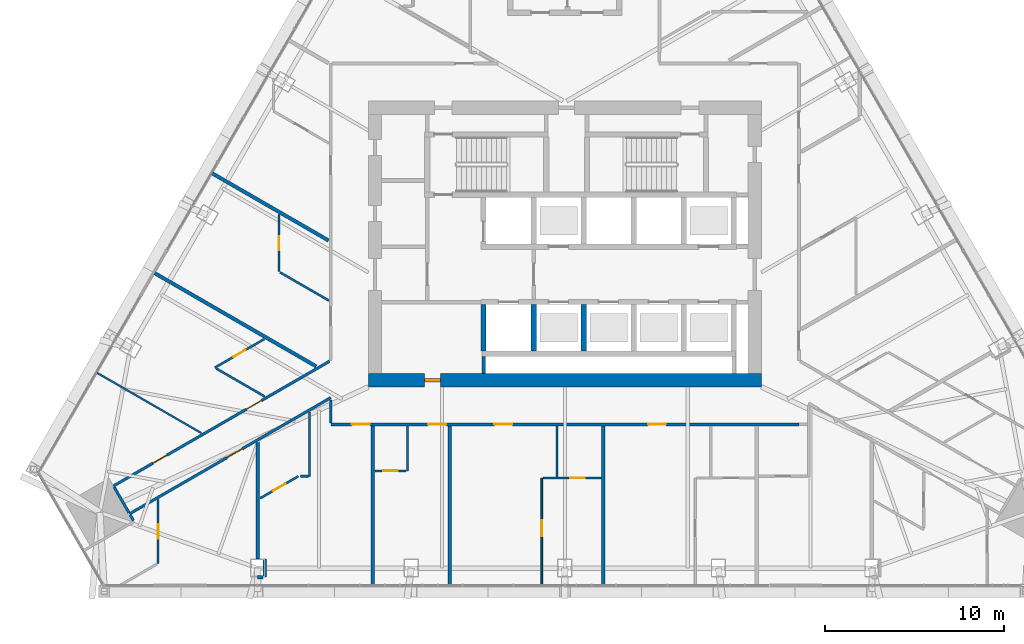
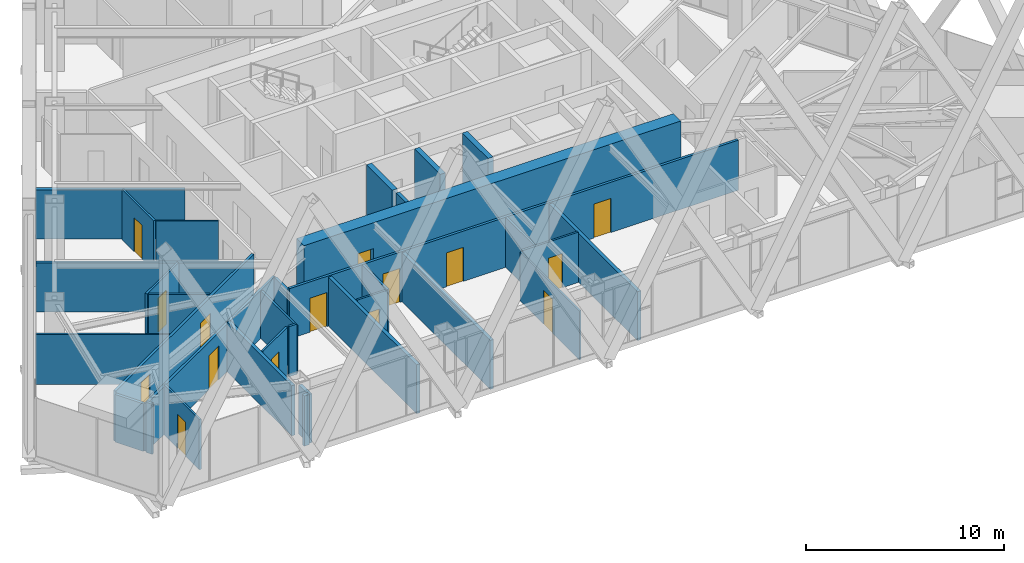
# One storey, part 17 of 23: 33 walls, 15 doors, 15 openings.
"""IFC4 building model written with IfcOpenShell, lengths in metres."""

from ifc_helpers import new_model, si_unit, direction, frame, frame_2d, origin, place, context, subcontext, project, spatial, rectangle, extrude, material, layer, layer_set, type_object, element, fill, save


model = new_model("IFC4")

# Units and contexts
model_context = context("Model", 3, precision=1e-05, world=origin(), true_north=direction((0.0, 1.0)))
body_context = subcontext(model_context, "Body", "Model", "MODEL_VIEW")
ifc_project = project(units=[si_unit("LENGTHUNIT", "METRE"), si_unit("AREAUNIT", "SQUARE_METRE"), si_unit("VOLUMEUNIT", "CUBIC_METRE"), si_unit("PLANEANGLEUNIT", "RADIAN"), si_unit("MASSUNIT", "GRAM", prefix="KILO")], contexts=[model_context])

# Site, building, storey
site_placement = place(None, origin())
site = spatial("IfcSite", under=ifc_project, at=site_placement, CompositionType="ELEMENT")
building_placement = place(site_placement, origin())
building = spatial("IfcBuilding", under=site, at=building_placement, Name="Firuza Gate Tower and Library", CompositionType="ELEMENT")
storey_placement = place(building_placement, frame((0.0, 0.0, 202.60009765625)))
storey = spatial("IfcBuildingStorey", under=building, at=storey_placement, Name="L47", CompositionType="ELEMENT", Elevation=202.60009765625)

# Walls
ifc_material_1 = material(Name="Plasterboard on steel studs", Category="steel")
ifc_layer_1 = layer(ifc_material_1, 0.199951171875)
ifc_layer_set_1 = layer_set([ifc_layer_1], Name="Core partition 200 EI 120")
wall_type_1 = type_object("IfcWallType", Name="Core partition 200 EI 120", PredefinedType="PARTITIONING", material=ifc_layer_set_1)
wall_1_placement = place(storey_placement, frame((70.449951171875, 67.75, 0.0), z_axis=(0.0, 0.0, 1.0), x_axis=(0.0, 1.0, 0.0)))
element("IfcWall", 1, at=wall_1_placement, inside=storey, type_object=wall_type_1, Name="Core partition L47 9", PredefinedType="PARTITIONING", context=body_context, shape_type="SweptSolid", body=[
    extrude(rectangle(XDim=0.949951171875, YDim=0.199951171875, at=frame_2d((0.47509765625, 0.0))), origin(), (0.0, 0.0, 1.0), 3.699951171875),
])
ifc_material_2 = material(Name="Concrete C80/95", Category="concrete")
ifc_layer_2 = layer(ifc_material_2, 0.300048828125)
ifc_layer_set_2 = layer_set([ifc_layer_2], Name="Core wall 300 C80/95")
wall_type_2 = type_object("IfcWallType", Name="Core wall 300 C80/95", PredefinedType="SHEAR", material=ifc_layer_set_2)
for number, where, z_axis, x_axis, name in (
    (2, (70.449951171875, 69.0, 0.0), (0.0, 0.0, 1.0), (0.0, 1.0, 0.0), "Core wall L47 8"),
    (3, (73.25, 69.0, 0.0), (0.0, 0.0, 1.0), (0.0, 1.0, 0.0), "Core wall L47 10"),
    (4, (76.050048828125, 69.0, 0.0), (0.0, 0.0, 1.0), (0.0, 1.0, 0.0), "Core wall L47 12"),
):
    element("IfcWall", number, at=place(storey_placement, frame(where, z_axis=z_axis, x_axis=x_axis)), inside=storey, type_object=wall_type_2, Name=name, PredefinedType="SHEAR", context=body_context, shape_type="SweptSolid", body=[
        extrude(rectangle(XDim=2.60009765625, YDim=0.300048828125, at=frame_2d((1.300048828125, 0.0))), origin(), (0.0, 0.0, 1.0), 3.699951171875),
    ])

# Wall, opening, door
ifc_material_3 = material(Name="Concrete C80/95", Category="concrete")
ifc_layer_3 = layer(ifc_material_3, 0.75)
ifc_layer_set_3 = layer_set([ifc_layer_3], Name="Core wall 750 C80/95")
wall_type_3 = type_object("IfcWallType", Name="Core wall 750 C80/95", PredefinedType="SHEAR", material=ifc_layer_set_3)
wall_2_placement = place(storey_placement, frame((64.0, 67.375, 0.0), z_axis=(0.0, 0.0, 1.0), x_axis=(1.0, 0.0, 0.0)))
wall_2 = element("IfcWall", 5, at=wall_2_placement, inside=storey, type_object=wall_type_3, Name="Core wall L47 1", PredefinedType="SHEAR", context=body_context, shape_type="SweptSolid", body=[
    extrude(rectangle(XDim=22.0, YDim=0.75, at=frame_2d((11.0, 0.0))), origin(), (0.0, 0.0, 1.0), 3.699951171875),
])
opening_1_placement = place(wall_2_placement, frame((3.14990234375, 0.0, 0.0)))
opening_1 = element("IfcOpeningElement", 6, at=opening_1_placement, cuts=wall_2, Name="Opening L47-K22", PredefinedType="OPENING", context=body_context, shape_type="SweptSolid", body=[
    extrude(rectangle(XDim=0.89990234375, YDim=2.10009765625, at=frame_2d((0.449951171875, 1.050048828125))), frame((0.0, 0.385009765625, 0.0), z_axis=(0.0, -1.0, 0.0), x_axis=(1.0, 0.0, 0.0)), (0.0, 0.0, 1.0), 0.77001953125),
])
ifc_material_4 = material(Name="Steel", Category="steel")
door_type_1 = type_object("IfcDoorType", Name="Fire door 900x2100 FD30S", OperationType="NOTDEFINED", PredefinedType="DOOR", material=ifc_material_4)
door_1_placement = place(opening_1_placement, origin())
door_1 = element("IfcDoor", 7, at=door_1_placement, inside=storey, type_object=door_type_1, Name="Door L47-K22", OperationType="SINGLE_SWING_LEFT", OverallHeight=2.10009765625, OverallWidth=0.89990234375, PredefinedType="DOOR", context=body_context, shape_type="SweptSolid", body=[
    extrude(rectangle(XDim=0.89990234375, YDim=2.10009765625, at=frame_2d((0.449951171875, 1.050048828125))), frame((0.0, 0.094970703125, 0.0), z_axis=(0.0, -1.0, 0.0), x_axis=(1.0, 0.0, 0.0)), (0.0, 0.0, 1.0), 0.18994140625),
])
fill(opening_1, door_1)

# Wall, openings, doors
ifc_material_5 = material(Name="Gypsum board partition")
ifc_layer_4 = layer(ifc_material_5, 0.14990234375)
ifc_layer_set_4 = layer_set([ifc_layer_4], Name="Corridor wall 150 double board on steel studs")
wall_type_4 = type_object("IfcWallType", Name="Corridor wall 150 double board on steel studs", PredefinedType="PARTITIONING", material=ifc_layer_set_4)
wall_3_placement = place(storey_placement, frame((88.099609375, 64.89990234375, 0.0), z_axis=(0.0, 0.0, 1.0), x_axis=(-1.0, 0.0, 0.0)))
wall_3 = element("IfcWall", 8, at=wall_3_placement, inside=storey, type_object=wall_type_4, Name="f:L47:w007", PredefinedType="PARTITIONING", context=body_context, shape_type="SweptSolid", body=[
    extrude(rectangle(XDim=26.19970703125, YDim=0.14990234375, at=frame_2d((13.099853515625, 0.0))), origin(), (0.0, 0.0, 1.0), 3.099853515625),
])
opening_2_placement = place(wall_3_placement, frame((7.443359375, 0.0, 0.0)))
opening_2 = element("IfcOpeningElement", 9, at=opening_2_placement, cuts=wall_3, Name="Opening L47-05", PredefinedType="OPENING", context=body_context, shape_type="SweptSolid", body=[
    extrude(rectangle(XDim=1.0, YDim=2.10009765625, at=frame_2d((0.5, 1.050048828125))), frame((0.0, 0.0849609375, 0.0), z_axis=(0.0, -1.0, 0.0), x_axis=(1.0, 0.0, 0.0)), (0.0, 0.0, 1.0), 0.169921875),
])
opening_3_placement = place(wall_3_placement, frame((16.037109375, 0.0, 0.0)))
opening_3 = element("IfcOpeningElement", 10, at=opening_3_placement, cuts=wall_3, Name="Opening L47-06", PredefinedType="OPENING", context=body_context, shape_type="SweptSolid", body=[
    extrude(rectangle(XDim=1.0, YDim=2.10009765625, at=frame_2d((0.5, 1.050048828125))), frame((0.0, 0.0849609375, 0.0), z_axis=(0.0, -1.0, 0.0), x_axis=(1.0, 0.0, 0.0)), (0.0, 0.0, 1.0), 0.169921875),
])
opening_4_placement = place(wall_3_placement, frame((19.747314453125, 0.0, 0.0)))
opening_4 = element("IfcOpeningElement", 11, at=opening_4_placement, cuts=wall_3, Name="Opening L47-07", PredefinedType="OPENING", context=body_context, shape_type="SweptSolid", body=[
    extrude(rectangle(XDim=1.0, YDim=2.10009765625, at=frame_2d((0.5, 1.050048828125))), frame((0.0, 0.0849609375, 0.0), z_axis=(0.0, -1.0, 0.0), x_axis=(1.0, 0.0, 0.0)), (0.0, 0.0, 1.0), 0.169921875),
])
opening_5_placement = place(wall_3_placement, frame((24.0126953125, 0.0, 0.0)))
opening_5 = element("IfcOpeningElement", 12, at=opening_5_placement, cuts=wall_3, Name="Opening L47-08", PredefinedType="OPENING", context=body_context, shape_type="SweptSolid", body=[
    extrude(rectangle(XDim=1.0, YDim=2.10009765625, at=frame_2d((0.5, 1.050048828125))), frame((0.0, 0.0849609375, 0.0), z_axis=(0.0, -1.0, 0.0), x_axis=(1.0, 0.0, 0.0)), (0.0, 0.0, 1.0), 0.169921875),
])
ifc_material_6 = material(Name="Steel door and timber leaf", Category="steel")
door_type_2 = type_object("IfcDoorType", Name="Fire door 1000 x 2100 steel frame, timber leaf", OperationType="NOTDEFINED", PredefinedType="DOOR", material=ifc_material_6)
door_2_placement = place(opening_2_placement, origin())
door_2 = element("IfcDoor", 13, at=door_2_placement, inside=storey, type_object=door_type_2, Name="f:L47:d005", OperationType="SINGLE_SWING_LEFT", OverallHeight=2.10009765625, OverallWidth=1.0, PredefinedType="DOOR", context=body_context, shape_type="SweptSolid", body=[
    extrude(rectangle(XDim=1.0, YDim=2.10009765625, at=frame_2d((0.5, 1.050048828125))), frame((0.0, 0.02490234375, 0.0), z_axis=(0.0, -1.0, 0.0), x_axis=(1.0, 0.0, 0.0)), (0.0, 0.0, 1.0), 0.050048828125),
])
fill(opening_2, door_2)
door_3_placement = place(opening_3_placement, origin())
door_3 = element("IfcDoor", 14, at=door_3_placement, inside=storey, type_object=door_type_2, Name="f:L47:d006", OperationType="SINGLE_SWING_RIGHT", OverallHeight=2.10009765625, OverallWidth=1.0, PredefinedType="DOOR", context=body_context, shape_type="SweptSolid", body=[
    extrude(rectangle(XDim=1.0, YDim=2.10009765625, at=frame_2d((0.5, 1.050048828125))), frame((0.0, 0.02490234375, 0.0), z_axis=(0.0, -1.0, 0.0), x_axis=(1.0, 0.0, 0.0)), (0.0, 0.0, 1.0), 0.050048828125),
])
fill(opening_3, door_3)
door_4_placement = place(opening_4_placement, origin())
door_4 = element("IfcDoor", 15, at=door_4_placement, inside=storey, type_object=door_type_2, Name="f:L47:d007", OperationType="SINGLE_SWING_RIGHT", OverallHeight=2.10009765625, OverallWidth=1.0, PredefinedType="DOOR", context=body_context, shape_type="SweptSolid", body=[
    extrude(rectangle(XDim=1.0, YDim=2.10009765625, at=frame_2d((0.5, 1.050048828125))), frame((0.0, 0.02490234375, 0.0), z_axis=(0.0, -1.0, 0.0), x_axis=(1.0, 0.0, 0.0)), (0.0, 0.0, 1.0), 0.050048828125),
])
fill(opening_4, door_4)
door_5_placement = place(opening_5_placement, origin())
door_5 = element("IfcDoor", 16, at=door_5_placement, inside=storey, type_object=door_type_2, Name="f:L47:d008", OperationType="SINGLE_SWING_RIGHT", OverallHeight=2.10009765625, OverallWidth=1.0, PredefinedType="DOOR", context=body_context, shape_type="SweptSolid", body=[
    extrude(rectangle(XDim=1.0, YDim=2.10009765625, at=frame_2d((0.5, 1.050048828125))), frame((0.0, 0.02490234375, 0.0), z_axis=(0.0, -1.0, 0.0), x_axis=(1.0, 0.0, 0.0)), (0.0, 0.0, 1.0), 0.050048828125),
])
fill(opening_5, door_5)

# Wall, opening, door
wall_4_placement = place(storey_placement, frame((61.89990234375, 66.3974609375, 0.0), z_axis=(0.0, 0.0, 1.0), x_axis=(-0.866028610752, -0.499994445327, 0.0)))
wall_4 = element("IfcWall", 17, at=wall_4_placement, inside=storey, type_object=wall_type_4, Name="f:L47:w028", PredefinedType="PARTITIONING", context=body_context, shape_type="SweptSolid", body=[
    extrude(rectangle(XDim=13.001708984375, YDim=0.14990234375, at=frame_2d((6.5009765625, 0.0))), origin(), (0.0, 0.0, 1.0), 2.947021484375),
])
opening_6_placement = place(wall_4_placement, frame((5.701171875, 0.0, 0.0)))
opening_6 = element("IfcOpeningElement", 18, at=opening_6_placement, cuts=wall_4, Name="Opening L47-16", PredefinedType="OPENING", context=body_context, shape_type="SweptSolid", body=[
    extrude(rectangle(XDim=1.0, YDim=2.10009765625, at=frame_2d((0.5, 1.050048828125))), frame((0.0, 0.0849609375, 0.0), z_axis=(0.0, -1.0, 0.0), x_axis=(1.0, 0.0, 0.0)), (0.0, 0.0, 1.0), 0.169921875),
])
door_6_placement = place(opening_6_placement, origin())
door_6 = element("IfcDoor", 19, at=door_6_placement, inside=storey, type_object=door_type_2, Name="f:L47:d016", OperationType="SINGLE_SWING_RIGHT", OverallHeight=2.10009765625, OverallWidth=1.0, PredefinedType="DOOR", context=body_context, shape_type="SweptSolid", body=[
    extrude(rectangle(XDim=1.0, YDim=2.10009765625, at=frame_2d((0.5, 1.050048828125))), frame((0.0, 0.02490234375, 0.0), z_axis=(0.0, -1.0, 0.0), x_axis=(1.0, 0.0, 0.0)), (0.0, 0.0, 1.0), 0.050048828125),
])
fill(opening_6, door_6)

# Wall, openings, doors
wall_5_placement = place(storey_placement, frame((49.740478515625, 61.455810546875, 0.0), z_axis=(0.0, 0.0, 1.0), x_axis=(0.866030582951, 0.499991029314, 0.0)))
wall_5 = element("IfcWall", 20, at=wall_5_placement, inside=storey, type_object=wall_type_4, Name="f:L47:w029", PredefinedType="PARTITIONING", context=body_context, shape_type="SweptSolid", body=[
    extrude(rectangle(XDim=13.953857421875, YDim=0.14990234375, at=frame_2d((6.97705078125, 0.0))), origin(), (0.0, 0.0, 1.0), 3.099853515625),
])
opening_7_placement = place(wall_5_placement, frame((2.5517578125, 0.0, 0.0)))
opening_7 = element("IfcOpeningElement", 21, at=opening_7_placement, cuts=wall_5, Name="Opening L47-17", PredefinedType="OPENING", context=body_context, shape_type="SweptSolid", body=[
    extrude(rectangle(XDim=0.89990234375, YDim=2.10009765625, at=frame_2d((0.449951171875, 1.050048828125))), frame((0.0, 0.0849609375, 0.0), z_axis=(0.0, -1.0, 0.0), x_axis=(1.0, 0.0, 0.0)), (0.0, 0.0, 1.0), 0.169921875),
])
opening_8_placement = place(wall_5_placement, frame((8.578857421875, 0.0, 0.0)))
opening_8 = element("IfcOpeningElement", 22, at=opening_8_placement, cuts=wall_5, Name="Opening L47-18", PredefinedType="OPENING", context=body_context, shape_type="SweptSolid", body=[
    extrude(rectangle(XDim=1.0, YDim=2.10009765625, at=frame_2d((0.5, 1.050048828125))), frame((0.0, 0.0849609375, 0.0), z_axis=(0.0, -1.0, 0.0), x_axis=(1.0, 0.0, 0.0)), (0.0, 0.0, 1.0), 0.169921875),
])
door_7_placement = place(opening_8_placement, origin())
door_7 = element("IfcDoor", 23, at=door_7_placement, inside=storey, type_object=door_type_2, Name="f:L47:d018", OperationType="SINGLE_SWING_RIGHT", OverallHeight=2.10009765625, OverallWidth=1.0, PredefinedType="DOOR", context=body_context, shape_type="SweptSolid", body=[
    extrude(rectangle(XDim=1.0, YDim=2.10009765625, at=frame_2d((0.5, 1.050048828125))), frame((0.0, 0.02490234375, 0.0), z_axis=(0.0, -1.0, 0.0), x_axis=(1.0, 0.0, 0.0)), (0.0, 0.0, 1.0), 0.050048828125),
])
fill(opening_8, door_7)
ifc_material_7 = material(Name="Steel door and timber leaf", Category="steel")
door_type_3 = type_object("IfcDoorType", Name="Fire door 900 x 2100 steel frame, timber leaf", OperationType="NOTDEFINED", PredefinedType="DOOR", material=ifc_material_7)
door_8_placement = place(opening_7_placement, origin())
door_8 = element("IfcDoor", 24, at=door_8_placement, inside=storey, type_object=door_type_3, Name="f:L47:d017", OperationType="SINGLE_SWING_RIGHT", OverallHeight=2.10009765625, OverallWidth=0.89990234375, PredefinedType="DOOR", context=body_context, shape_type="SweptSolid", body=[
    extrude(rectangle(XDim=0.89990234375, YDim=2.10009765625, at=frame_2d((0.449951171875, 1.050048828125))), frame((0.0, 0.02490234375, 0.0), z_axis=(0.0, -1.0, 0.0), x_axis=(1.0, 0.0, 0.0)), (0.0, 0.0, 1.0), 0.050048828125),
])
fill(opening_7, door_8)

# Walls
wall_6_placement = place(storey_placement, frame((61.89990234375, 64.97509765625, 0.0), z_axis=(0.0, 0.0, 1.0), x_axis=(0.0, 1.0, 0.0)))
element("IfcWall", 25, at=wall_6_placement, inside=storey, type_object=wall_type_4, Name="f:L47:w063", PredefinedType="PARTITIONING", context=body_context, shape_type="SweptSolid", body=[
    extrude(rectangle(XDim=1.285888671875, YDim=0.14990234375, at=frame_2d((0.64306640625, 0.0))), origin(), (0.0, 0.0, 1.0), 2.947021484375),
])
wall_7_placement = place(storey_placement, frame((50.85986328125, 59.51611328125, 0.0), z_axis=(0.0, 0.0, 1.0), x_axis=(-0.499741784413, 0.866174433305, 0.0)))
element("IfcWall", 26, at=wall_7_placement, inside=storey, type_object=wall_type_4, Name="f:L47:w074", PredefinedType="PARTITIONING", context=body_context, shape_type="SweptSolid", body=[
    extrude(rectangle(XDim=0.364501953125, YDim=0.14990234375, at=frame_2d((0.18212890625, 0.0))), origin(), (0.0, 0.0, 1.0), 3.099853515625),
])
wall_8_placement = place(storey_placement, frame((50.6025390625, 59.961669921875, 0.0), z_axis=(0.0, 0.0, 1.0), x_axis=(-0.499991515992, 0.866030301974, 0.0)))
element("IfcWall", 27, at=wall_8_placement, inside=storey, type_object=wall_type_4, Name="f:L47:w096", PredefinedType="PARTITIONING", context=body_context, shape_type="SweptSolid", body=[
    extrude(rectangle(XDim=1.6494140625, YDim=0.14990234375, at=frame_2d((0.82470703125, 0.0))), origin(), (0.0, 0.0, 1.0), 2.947021484375),
])
ifc_material_8 = material(Name="Gypsum board partition")
ifc_layer_5 = layer(ifc_material_8, 0.199951171875)
ifc_layer_set_5 = layer_set([ifc_layer_5], Name="Demising wall 200 acoustic double stud")
wall_type_5 = type_object("IfcWallType", Name="Demising wall 200 acoustic double stud", PredefinedType="PARTITIONING", material=ifc_layer_set_5)
wall_9_placement = place(storey_placement, frame((57.8125, 56.35791015625, 0.0), z_axis=(0.0, 0.0, 1.0), x_axis=(1.0, 0.0, 0.0)))
element("IfcWall", 28, at=wall_9_placement, inside=storey, type_object=wall_type_5, Name="f:L47:w000", PredefinedType="PARTITIONING", context=body_context, shape_type="SweptSolid", body=[
    extrude(rectangle(XDim=0.300048828125, YDim=0.199951171875, at=frame_2d((0.14990234375, 0.0))), origin(), (0.0, 0.0, 1.0), 3.099853515625),
])
for number, where, z_axis, x_axis, name in (
    (29, (77.14794921875, 55.898193359375, 0.0), (0.0, 0.0, 1.0), (0.0, 1.0, 0.0), "f:L47:w052"),
    (30, (68.554931640625, 55.898193359375, 0.0), (0.0, 0.0, 1.0), (0.0, 1.0, 0.0), "f:L47:w059"),
    (31, (64.258056640625, 55.898193359375, 0.0), (0.0, 0.0, 1.0), (0.0, 1.0, 0.0), "f:L47:w062"),
):
    element("IfcWall", number, at=place(storey_placement, frame(where, z_axis=z_axis, x_axis=x_axis)), inside=storey, type_object=wall_type_5, Name=name, PredefinedType="PARTITIONING", context=body_context, shape_type="SweptSolid", body=[
        extrude(rectangle(XDim=8.9267578125, YDim=0.199951171875, at=frame_2d((4.46337890625, 0.0))), origin(), (0.0, 0.0, 1.0), 3.02197265625),
    ])
wall_10_placement = place(storey_placement, frame((58.212890625, 56.3583984375, 0.0), z_axis=(0.0, 0.0, 1.0), x_axis=(0.0, 1.0, 0.0)))
element("IfcWall", 32, at=wall_10_placement, inside=storey, type_object=wall_type_5, Name="f:L47:w069", PredefinedType="PARTITIONING", context=body_context, shape_type="SweptSolid", body=[
    extrude(rectangle(XDim=1.0, YDim=0.199951171875, at=frame_2d((0.5, 0.0))), origin(), (0.0, 0.0, 1.0), 3.02197265625),
])
wall_11_placement = place(storey_placement, frame((57.81298828125, 57.3583984375, 0.0), z_axis=(0.0, 0.0, 1.0), x_axis=(0.0, 1.0, 0.0)))
element("IfcWall", 33, at=wall_11_placement, inside=storey, type_object=wall_type_5, Name="f:L47:w070", PredefinedType="PARTITIONING", context=body_context, shape_type="SweptSolid", body=[
    extrude(rectangle(XDim=6.532470703125, YDim=0.199951171875, at=frame_2d((3.26611328125, 0.0))), origin(), (0.0, 0.0, 1.0), 3.099853515625),
])
wall_12_placement = place(storey_placement, frame((61.773193359375, 75.194580078125, 0.0), z_axis=(0.0, 0.0, 1.0), x_axis=(-0.866025649656, 0.499999574138, 0.0)))
element("IfcWall", 34, at=wall_12_placement, inside=storey, type_object=wall_type_5, Name="f:L47:w090", PredefinedType="PARTITIONING", context=body_context, shape_type="SweptSolid", body=[
    extrude(rectangle(XDim=7.5498046875, YDim=0.199951171875, at=frame_2d((3.77490234375, 0.0))), origin(), (0.0, 0.0, 1.0), 3.02197265625),
])
wall_13_placement = place(storey_placement, frame((61.082275390625, 68.150146484375, 0.0), z_axis=(0.0, 0.0, 1.0), x_axis=(-0.866026174012, 0.499998665924, 0.0)))
element("IfcWall", 35, at=wall_13_placement, inside=storey, type_object=wall_type_5, Name="f:L47:w092", PredefinedType="PARTITIONING", context=body_context, shape_type="SweptSolid", body=[
    extrude(rectangle(XDim=10.45654296875, YDim=0.199951171875, at=frame_2d((5.228271484375, 0.0))), origin(), (0.0, 0.0, 1.0), 3.02197265625),
])

# Wall, opening, door
ifc_material_9 = material(Name="Gypsum board partition")
ifc_layer_6 = layer(ifc_material_9, 0.10009765625)
ifc_layer_set_6 = layer_set([ifc_layer_6], Name="Partition 100 gypsum board on steel studs")
wall_type_6 = type_object("IfcWallType", Name="Partition 100 gypsum board on steel studs", PredefinedType="PARTITIONING", material=ifc_layer_set_6)
wall_14_placement = place(storey_placement, frame((73.7109375, 61.89990234375, 0.0), z_axis=(0.0, 0.0, 1.0), x_axis=(0.0, -1.0, 0.0)))
wall_14 = element("IfcWall", 36, at=wall_14_placement, inside=storey, type_object=wall_type_6, Name="f:L47:w056", PredefinedType="PARTITIONING", context=body_context, shape_type="SweptSolid", body=[
    extrude(rectangle(XDim=6.001708984375, YDim=0.10009765625, at=frame_2d((3.0009765625, 0.0))), origin(), (0.0, 0.0, 1.0), 3.02197265625),
])
opening_9_placement = place(wall_14_placement, frame((2.370849609375, 0.0, 0.0)))
opening_9 = element("IfcOpeningElement", 37, at=opening_9_placement, cuts=wall_14, Name="Opening L47-30", PredefinedType="OPENING", context=body_context, shape_type="SweptSolid", body=[
    extrude(rectangle(XDim=0.89990234375, YDim=2.10009765625, at=frame_2d((0.449951171875, 1.050048828125))), frame((0.0, 0.06005859375, 0.0), z_axis=(0.0, -1.0, 0.0), x_axis=(1.0, 0.0, 0.0)), (0.0, 0.0, 1.0), 0.1201171875),
])
ifc_material_10 = material(Name="Timber door", Category="wood")
door_type_4 = type_object("IfcDoorType", Name="Door 900 x 2100 timber leaf", OperationType="NOTDEFINED", PredefinedType="DOOR", material=ifc_material_10)
door_9_placement = place(opening_9_placement, origin())
door_9 = element("IfcDoor", 38, at=door_9_placement, inside=storey, type_object=door_type_4, Name="f:L47:d030", OperationType="SINGLE_SWING_LEFT", OverallHeight=2.10009765625, OverallWidth=0.89990234375, PredefinedType="DOOR", context=body_context, shape_type="SweptSolid", body=[
    extrude(rectangle(XDim=0.89990234375, YDim=2.10009765625, at=frame_2d((0.449951171875, 1.050048828125))), frame((0.0, 0.02490234375, 0.0), z_axis=(0.0, -1.0, 0.0), x_axis=(1.0, 0.0, 0.0)), (0.0, 0.0, 1.0), 0.050048828125),
])
fill(opening_9, door_9)

# Wall
wall_15_placement = place(storey_placement, frame((54.6630859375, 64.414306640625, 0.0), z_axis=(0.0, 0.0, 1.0), x_axis=(-0.866023732449, 0.500002894826, 0.0)))
element("IfcWall", 39, at=wall_15_placement, inside=storey, type_object=wall_type_6, Name="f:L47:w094", PredefinedType="PARTITIONING", context=body_context, shape_type="SweptSolid", body=[
    extrude(rectangle(XDim=6.7822265625, YDim=0.10009765625, at=frame_2d((3.39111328125, 0.0))), origin(), (0.0, 0.0, 1.0), 3.099853515625),
])

# Wall, opening, door
ifc_material_11 = material(Name="Gypsum board partition")
ifc_layer_7 = layer(ifc_material_11, 0.1201171875)
ifc_layer_set_7 = layer_set([ifc_layer_7], Name="Wet-area partition 120 moisture-resistant board")
wall_type_7 = type_object("IfcWallType", Name="Wet-area partition 120 moisture-resistant board", PredefinedType="PARTITIONING", material=ifc_layer_set_7)
wall_16_placement = place(storey_placement, frame((73.77099609375, 61.89990234375, 0.0), z_axis=(0.0, 0.0, 1.0), x_axis=(1.0, 0.0, 0.0)))
wall_16 = element("IfcWall", 40, at=wall_16_placement, inside=storey, type_object=wall_type_7, Name="f:L47:w002", PredefinedType="PARTITIONING", context=body_context, shape_type="SweptSolid", body=[
    extrude(rectangle(XDim=3.267333984375, YDim=0.1201171875, at=frame_2d((1.6337890625, 0.0))), origin(), (0.0, 0.0, 1.0), 3.099853515625),
])
opening_10_placement = place(wall_16_placement, frame((1.533447265625, 0.0, 0.0)))
opening_10 = element("IfcOpeningElement", 41, at=opening_10_placement, cuts=wall_16, Name="Opening L47-01", PredefinedType="OPENING", context=body_context, shape_type="SweptSolid", body=[
    extrude(rectangle(XDim=0.800048828125, YDim=2.10009765625, at=frame_2d((0.39990234375, 1.050048828125))), frame((0.0, 0.070068359375, 0.0), z_axis=(0.0, -1.0, 0.0), x_axis=(1.0, 0.0, 0.0)), (0.0, 0.0, 1.0), 0.14013671875),
])
ifc_material_12 = material(Name="Timber door", Category="wood")
door_type_5 = type_object("IfcDoorType", Name="Door 800 x 2100 timber leaf", OperationType="NOTDEFINED", PredefinedType="DOOR", material=ifc_material_12)
door_10_placement = place(opening_10_placement, origin())
door_10 = element("IfcDoor", 42, at=door_10_placement, inside=storey, type_object=door_type_5, Name="f:L47:d001", OperationType="SINGLE_SWING_LEFT", OverallHeight=2.10009765625, OverallWidth=0.800048828125, PredefinedType="DOOR", context=body_context, shape_type="SweptSolid", body=[
    extrude(rectangle(XDim=0.800048828125, YDim=2.10009765625, at=frame_2d((0.39990234375, 1.050048828125))), frame((0.0, 0.02490234375, 0.0), z_axis=(0.0, -1.0, 0.0), x_axis=(1.0, 0.0, 0.0)), (0.0, 0.0, 1.0), 0.050048828125),
])
fill(opening_10, door_10)

# Wall
wall_17_placement = place(storey_placement, frame((60.203369140625, 62.0, 0.0), z_axis=(0.0, 0.0, 1.0), x_axis=(1.0, 0.0, 0.0)))
element("IfcWall", 43, at=wall_17_placement, inside=storey, type_object=wall_type_7, Name="f:L47:w004", PredefinedType="PARTITIONING", context=body_context, shape_type="SweptSolid", body=[
    extrude(rectangle(XDim=0.449462890625, YDim=0.1201171875, at=frame_2d((0.224609375, 0.0))), origin(), (0.0, 0.0, 1.0), 3.099853515625),
])

# Wall, opening, door
wall_18_placement = place(storey_placement, frame((64.367919921875, 62.300048828125, 0.0), z_axis=(0.0, 0.0, 1.0), x_axis=(1.0, 0.0, 0.0)))
wall_18 = element("IfcWall", 44, at=wall_18_placement, inside=storey, type_object=wall_type_7, Name="f:L47:w006", PredefinedType="PARTITIONING", context=body_context, shape_type="SweptSolid", body=[
    extrude(rectangle(XDim=1.75341796875, YDim=0.1201171875, at=frame_2d((0.876708984375, 0.0))), origin(), (0.0, 0.0, 1.0), 3.099853515625),
])
opening_11_placement = place(wall_18_placement, frame((0.476806640625, 0.0, 0.0)))
opening_11 = element("IfcOpeningElement", 45, at=opening_11_placement, cuts=wall_18, Name="Opening L47-04", PredefinedType="OPENING", context=body_context, shape_type="SweptSolid", body=[
    extrude(rectangle(XDim=0.800048828125, YDim=2.10009765625, at=frame_2d((0.39990234375, 1.050048828125))), frame((0.0, 0.070068359375, 0.0), z_axis=(0.0, -1.0, 0.0), x_axis=(1.0, 0.0, 0.0)), (0.0, 0.0, 1.0), 0.14013671875),
])
door_11_placement = place(opening_11_placement, origin())
door_11 = element("IfcDoor", 46, at=door_11_placement, inside=storey, type_object=door_type_5, Name="f:L47:d004", OperationType="SINGLE_SWING_RIGHT", OverallHeight=2.10009765625, OverallWidth=0.800048828125, PredefinedType="DOOR", context=body_context, shape_type="SweptSolid", body=[
    extrude(rectangle(XDim=0.800048828125, YDim=2.10009765625, at=frame_2d((0.39990234375, 1.050048828125))), frame((0.0, 0.02490234375, 0.0), z_axis=(0.0, -1.0, 0.0), x_axis=(1.0, 0.0, 0.0)), (0.0, 0.0, 1.0), 0.050048828125),
])
fill(opening_11, door_11)

wall_19_placement = place(storey_placement, frame((57.947021484375, 60.766845703125, 0.0), z_axis=(0.0, 0.0, 1.0), x_axis=(0.866060325455, 0.499939509014, 0.0)))
wall_19 = element("IfcWall", 47, at=wall_19_placement, inside=storey, type_object=wall_type_7, Name="f:L47:w025", PredefinedType="PARTITIONING", context=body_context, shape_type="SweptSolid", body=[
    extrude(rectangle(XDim=2.466552734375, YDim=0.1201171875, at=frame_2d((1.2333984375, 0.0))), origin(), (0.0, 0.0, 1.0), 3.099853515625),
])
opening_12_placement = place(wall_19_placement, frame((0.833251953125, 0.0, 0.0)))
opening_12 = element("IfcOpeningElement", 48, at=opening_12_placement, cuts=wall_19, Name="Opening L47-15", PredefinedType="OPENING", context=body_context, shape_type="SweptSolid", body=[
    extrude(rectangle(XDim=0.800048828125, YDim=2.10009765625, at=frame_2d((0.39990234375, 1.050048828125))), frame((0.0, 0.070068359375, 0.0), z_axis=(0.0, -1.0, 0.0), x_axis=(1.0, 0.0, 0.0)), (0.0, 0.0, 1.0), 0.14013671875),
])
door_12_placement = place(opening_12_placement, origin())
door_12 = element("IfcDoor", 49, at=door_12_placement, inside=storey, type_object=door_type_5, Name="f:L47:d015", OperationType="SINGLE_SWING_RIGHT", OverallHeight=2.10009765625, OverallWidth=0.800048828125, PredefinedType="DOOR", context=body_context, shape_type="SweptSolid", body=[
    extrude(rectangle(XDim=0.800048828125, YDim=2.10009765625, at=frame_2d((0.39990234375, 1.050048828125))), frame((0.0, 0.02490234375, 0.0), z_axis=(0.0, -1.0, 0.0), x_axis=(1.0, 0.0, 0.0)), (0.0, 0.0, 1.0), 0.050048828125),
])
fill(opening_12, door_12)

wall_20_placement = place(storey_placement, frame((58.1748046875, 69.673828125, 0.0), z_axis=(0.0, 0.0, 1.0), x_axis=(-0.866051923801, -0.49995406317, 0.0)))
wall_20 = element("IfcWall", 50, at=wall_20_placement, inside=storey, type_object=wall_type_7, Name="f:L47:w031", PredefinedType="PARTITIONING", context=body_context, shape_type="SweptSolid", body=[
    extrude(rectangle(XDim=3.193603515625, YDim=0.1201171875, at=frame_2d((1.5966796875, 0.0))), origin(), (0.0, 0.0, 1.0), 3.099853515625),
])
opening_13_placement = place(wall_20_placement, frame((1.19677734375, 0.0, 0.0)))
opening_13 = element("IfcOpeningElement", 51, at=opening_13_placement, cuts=wall_20, Name="Opening L47-19", PredefinedType="OPENING", context=body_context, shape_type="SweptSolid", body=[
    extrude(rectangle(XDim=0.800048828125, YDim=2.10009765625, at=frame_2d((0.39990234375, 1.050048828125))), frame((0.0, 0.070068359375, 0.0), z_axis=(0.0, -1.0, 0.0), x_axis=(1.0, 0.0, 0.0)), (0.0, 0.0, 1.0), 0.14013671875),
])
door_13_placement = place(opening_13_placement, origin())
door_13 = element("IfcDoor", 52, at=door_13_placement, inside=storey, type_object=door_type_5, Name="f:L47:d019", OperationType="SINGLE_SWING_RIGHT", OverallHeight=2.10009765625, OverallWidth=0.800048828125, PredefinedType="DOOR", context=body_context, shape_type="SweptSolid", body=[
    extrude(rectangle(XDim=0.800048828125, YDim=2.10009765625, at=frame_2d((0.39990234375, 1.050048828125))), frame((0.0, 0.02490234375, 0.0), z_axis=(0.0, -1.0, 0.0), x_axis=(1.0, 0.0, 0.0)), (0.0, 0.0, 1.0), 0.050048828125),
])
fill(opening_13, door_13)

# Walls
wall_21_placement = place(storey_placement, frame((74.570068359375, 61.9599609375, 0.0), z_axis=(0.0, 0.0, 1.0), x_axis=(0.0, 1.0, 0.0)))
element("IfcWall", 53, at=wall_21_placement, inside=storey, type_object=wall_type_7, Name="f:L47:w054", PredefinedType="PARTITIONING", context=body_context, shape_type="SweptSolid", body=[
    extrude(rectangle(XDim=2.864990234375, YDim=0.1201171875, at=frame_2d((1.4326171875, 0.0))), origin(), (0.0, 0.0, 1.0), 3.099853515625),
])
wall_22_placement = place(storey_placement, frame((66.19091796875, 62.300048828125, 0.0), z_axis=(0.0, 0.0, 1.0), x_axis=(0.0, 1.0, 0.0)))
element("IfcWall", 54, at=wall_22_placement, inside=storey, type_object=wall_type_7, Name="f:L47:w061", PredefinedType="PARTITIONING", context=body_context, shape_type="SweptSolid", body=[
    extrude(rectangle(XDim=2.52490234375, YDim=0.1201171875, at=frame_2d((1.262451171875, 0.0))), origin(), (0.0, 0.0, 1.0), 3.099853515625),
])
wall_23_placement = place(storey_placement, frame((60.712890625, 62.0, 0.0), z_axis=(0.0, 0.0, 1.0), x_axis=(0.0, 1.0, 0.0)))
element("IfcWall", 55, at=wall_23_placement, inside=storey, type_object=wall_type_7, Name="f:L47:w065", PredefinedType="PARTITIONING", context=body_context, shape_type="SweptSolid", body=[
    extrude(rectangle(XDim=3.58544921875, YDim=0.1201171875, at=frame_2d((1.792724609375, 0.0))), origin(), (0.0, 0.0, 1.0), 2.947021484375),
])

# Wall, opening, door
wall_24_placement = place(storey_placement, frame((59.0, 76.6396484375, 0.0), z_axis=(0.0, 0.0, 1.0), x_axis=(0.0, -1.0, 0.0)))
wall_24 = element("IfcWall", 56, at=wall_24_placement, inside=storey, type_object=wall_type_7, Name="f:L47:w066", PredefinedType="PARTITIONING", context=body_context, shape_type="SweptSolid", body=[
    extrude(rectangle(XDim=3.193603515625, YDim=0.1201171875, at=frame_2d((1.5966796875, 0.0))), origin(), (0.0, 0.0, 1.0), 3.099853515625),
])
opening_14_placement = place(wall_24_placement, frame((1.19677734375, 0.0, 0.0)))
opening_14 = element("IfcOpeningElement", 57, at=opening_14_placement, cuts=wall_24, Name="Opening L47-35", PredefinedType="OPENING", context=body_context, shape_type="SweptSolid", body=[
    extrude(rectangle(XDim=0.800048828125, YDim=2.10009765625, at=frame_2d((0.39990234375, 1.050048828125))), frame((0.0, 0.070068359375, 0.0), z_axis=(0.0, -1.0, 0.0), x_axis=(1.0, 0.0, 0.0)), (0.0, 0.0, 1.0), 0.14013671875),
])
door_14_placement = place(opening_14_placement, origin())
door_14 = element("IfcDoor", 58, at=door_14_placement, inside=storey, type_object=door_type_5, Name="f:L47:d035", OperationType="SINGLE_SWING_RIGHT", OverallHeight=2.10009765625, OverallWidth=0.800048828125, PredefinedType="DOOR", context=body_context, shape_type="SweptSolid", body=[
    extrude(rectangle(XDim=0.800048828125, YDim=2.10009765625, at=frame_2d((0.39990234375, 1.050048828125))), frame((0.0, 0.02490234375, 0.0), z_axis=(0.0, -1.0, 0.0), x_axis=(1.0, 0.0, 0.0)), (0.0, 0.0, 1.0), 0.050048828125),
])
fill(opening_14, door_14)

wall_25_placement = place(storey_placement, frame((52.239013671875, 57.12451171875, 0.0), z_axis=(0.0, 0.0, 1.0), x_axis=(0.0, 1.0, 0.0)))
wall_25 = element("IfcWall", 59, at=wall_25_placement, inside=storey, type_object=wall_type_7, Name="f:L47:w071", PredefinedType="PARTITIONING", context=body_context, shape_type="SweptSolid", body=[
    extrude(rectangle(XDim=3.568603515625, YDim=0.1201171875, at=frame_2d((1.7841796875, 0.0))), origin(), (0.0, 0.0, 1.0), 3.099853515625),
])
opening_15_placement = place(wall_25_placement, frame((1.38427734375, 0.0, 0.0)))
opening_15 = element("IfcOpeningElement", 60, at=opening_15_placement, cuts=wall_25, Name="Opening L47-36", PredefinedType="OPENING", context=body_context, shape_type="SweptSolid", body=[
    extrude(rectangle(XDim=0.800048828125, YDim=2.10009765625, at=frame_2d((0.39990234375, 1.050048828125))), frame((0.0, 0.070068359375, 0.0), z_axis=(0.0, -1.0, 0.0), x_axis=(1.0, 0.0, 0.0)), (0.0, 0.0, 1.0), 0.14013671875),
])
door_15_placement = place(opening_15_placement, origin())
door_15 = element("IfcDoor", 61, at=door_15_placement, inside=storey, type_object=door_type_5, Name="f:L47:d036", OperationType="SINGLE_SWING_RIGHT", OverallHeight=2.10009765625, OverallWidth=0.800048828125, PredefinedType="DOOR", context=body_context, shape_type="SweptSolid", body=[
    extrude(rectangle(XDim=0.800048828125, YDim=2.10009765625, at=frame_2d((0.39990234375, 1.050048828125))), frame((0.0, 0.02490234375, 0.0), z_axis=(0.0, -1.0, 0.0), x_axis=(1.0, 0.0, 0.0)), (0.0, 0.0, 1.0), 0.050048828125),
])
fill(opening_15, door_15)

# Walls
wall_26_placement = place(storey_placement, frame((61.790283203125, 71.8349609375, 0.0), z_axis=(0.0, 0.0, 1.0), x_axis=(-0.866028267601, 0.499995039691, 0.0)))
element("IfcWall", 62, at=wall_26_placement, inside=storey, type_object=wall_type_7, Name="f:L47:w091", PredefinedType="PARTITIONING", context=body_context, shape_type="SweptSolid", body=[
    extrude(rectangle(XDim=3.15283203125, YDim=0.1201171875, at=frame_2d((1.576416015625, 0.0))), origin(), (0.0, 0.0, 1.0), 3.099853515625),
])
wall_27_placement = place(storey_placement, frame((58.199462890625, 66.466064453125, 0.0), z_axis=(0.0, 0.0, 1.0), x_axis=(-0.866028856698, 0.499994019331, 0.0)))
element("IfcWall", 63, at=wall_27_placement, inside=storey, type_object=wall_type_7, Name="f:L47:w093", PredefinedType="PARTITIONING", context=body_context, shape_type="SweptSolid", body=[
    extrude(rectangle(XDim=3.11279296875, YDim=0.1201171875, at=frame_2d((1.556396484375, 0.0))), origin(), (0.0, 0.0, 1.0), 3.099853515625),
])

save(model, "model.ifc")
